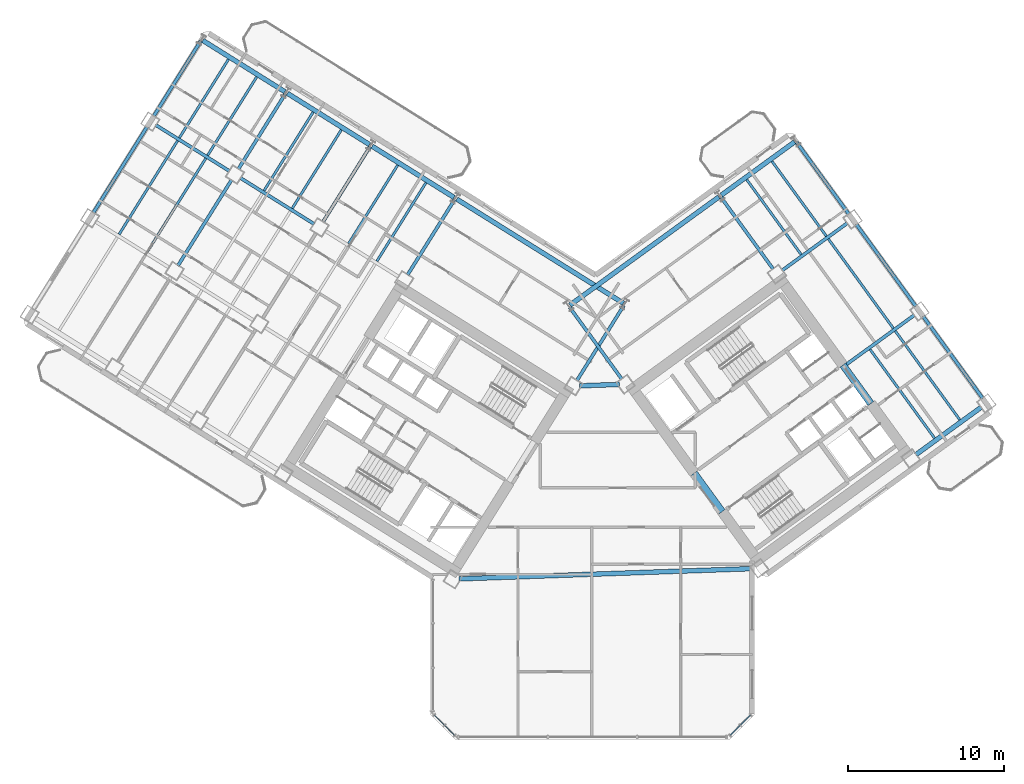
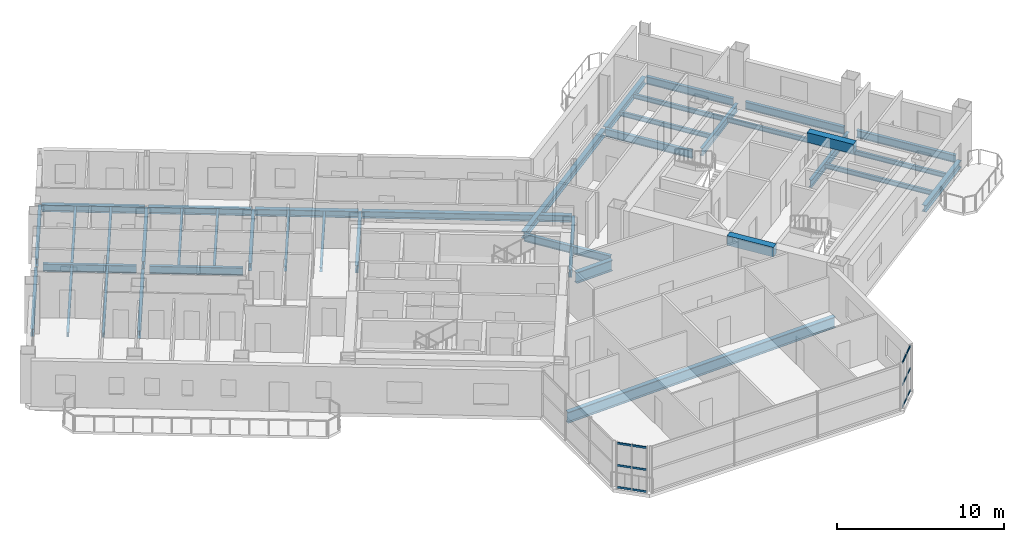
# One storey, part 7 of 21: 40 beams, 12 members, 2 elements without a shape of their own.
"""IFC4 building model written with IfcOpenShell, lengths in metres."""

from ifc_helpers import new_model, si_unit, direction, frame, origin, origin_2d, place, context, subcontext, project, spatial, rectangle, hollow_rectangle, i_section, extrude, source, transform, mapped, material, material_profile, profile_set, type_object, element, aggregate, save


model = new_model("IFC4")

# Units and contexts
model_context = context("Model", 3, precision=1e-05, world=origin(), true_north=direction((0.0, 1.0)))
body_context = subcontext(model_context, "Body", "Model", "MODEL_VIEW")
ifc_project = project(units=[si_unit("LENGTHUNIT", "METRE"), si_unit("AREAUNIT", "SQUARE_METRE"), si_unit("VOLUMEUNIT", "CUBIC_METRE"), si_unit("PLANEANGLEUNIT", "RADIAN"), si_unit("MASSUNIT", "GRAM", prefix="KILO")], contexts=[model_context])

# Site, building, storey
site_placement = place(None, origin())
site = spatial("IfcSite", under=ifc_project, at=site_placement, CompositionType="ELEMENT")
building_placement = place(site_placement, origin())
building = spatial("IfcBuilding", under=site, at=building_placement, Name="Tlacorven Tower", CompositionType="ELEMENT")
storey_placement = place(building_placement, frame((0.0, 0.0, 93.60009765625)))
storey = spatial("IfcBuildingStorey", under=building, at=storey_placement, Name="L23", CompositionType="ELEMENT", Elevation=93.60009765625)

# Beams
ifc_material_1 = material(Name="Concrete C60/75", Category="concrete")
ifc_material_profile_1 = material_profile(ifc_material_1, rectangle(XDim=0.449951171875, YDim=0.699951171875, at=origin_2d()), Name="RC 450X700")
ifc_profile_set_1 = profile_set([ifc_material_profile_1], Name="Concrete C60/75")
beam_type_1 = type_object("IfcBeamType", Name="BM-LNT-700", PredefinedType="LINTEL", material=ifc_profile_set_1)
shared_shape_1 = source(origin(), body_context, "Body", "SweptSolid", [
    extrude(rectangle(XDim=0.449951171875, YDim=0.699951171875, at=origin_2d()), origin(), (0.0, 0.0, 1.0), 3.050048828125),
])
for number, where, z_axis, x_axis, name in (
    (1, (50.318359375, 16.416015625, 3.0), (-0.587776590479, 0.80902328748, 0.0), (-0.80902328748, -0.587776590479, 0.0), "L23 E core coupling lintel beam E1"),
    (2, (59.856689453125, 23.345947265625, 3.0), (-0.587776590479, 0.80902328748, 0.0), (-0.80902328748, -0.587776590479, 0.0), "L23 E core coupling lintel beam E2"),
):
    element("IfcBeam", number, at=place(storey_placement, frame(where, z_axis=z_axis, x_axis=x_axis)), inside=storey, type_object=beam_type_1, Name=name, PredefinedType="LINTEL", context=body_context, shape_type="MappedRepresentation", body=[
        mapped(shared_shape_1, transform((0.0, 0.0, 0.0), scale=1.0)),
    ])
ifc_material_2 = material(Name="Steel S355J2", Category="steel")
ifc_material_profile_2 = material_profile(ifc_material_2, i_section(OverallWidth=0.300048828125, OverallDepth=0.489990234375, WebThickness=0.011962890625, FlangeThickness=0.02294921875, at=origin_2d()), Name="HEA 500")
ifc_profile_set_2 = profile_set([ifc_material_profile_2], Name="Steel S355J2")
beam_type_2 = type_object("IfcBeamType", Name="BM-SPN-500", PredefinedType="SPANDREL", material=ifc_profile_set_2)
shared_shape_2 = source(origin(), body_context, "Body", "SweptSolid", [
    extrude(i_section(OverallWidth=0.300048828125, OverallDepth=0.489990234375, WebThickness=0.011962890625, FlangeThickness=0.02294921875, at=origin_2d()), origin(), (0.0, 0.0, 1.0), 12.599853515625),
])
beam_1_placement = place(storey_placement, frame((43.983642578125, 29.779296875, -0.4951171875), z_axis=(-0.848045108756, 0.529924045043, 0.0), x_axis=(-0.529924045043, -0.848045108756, 0.0)))
element("IfcBeam", 3, at=beam_1_placement, inside=storey, type_object=beam_type_2, Name="L23 beam BM-L23-WL1-1", PredefinedType="SPANDREL", context=body_context, shape_type="MappedRepresentation", body=[
    mapped(shared_shape_2, transform((0.0, 0.0, 0.0), scale=1.0)),
])
shared_shape_3 = source(origin(), body_context, "Body", "SweptSolid", [
    extrude(i_section(OverallWidth=0.300048828125, OverallDepth=0.489990234375, WebThickness=0.011962890625, FlangeThickness=0.02294921875, at=origin_2d()), origin(), (0.0, 0.0, 1.0), 6.199951171875),
])
beam_2_placement = place(storey_placement, frame((33.128662109375, 36.562255859375, -0.4951171875), z_axis=(-0.848051394107, 0.529913986372, 0.0), x_axis=(-0.529913986372, -0.848051394107, 0.0)))
element("IfcBeam", 4, at=beam_2_placement, inside=storey, type_object=beam_type_2, Name="L23 beam BM-L23-WL1-3", PredefinedType="SPANDREL", context=body_context, shape_type="MappedRepresentation", body=[
    mapped(shared_shape_3, transform((0.0, 0.0, 0.0), scale=1.0)),
])
shared_shape_4 = source(origin(), body_context, "Body", "SweptSolid", [
    extrude(i_section(OverallWidth=0.300048828125, OverallDepth=0.489990234375, WebThickness=0.011962890625, FlangeThickness=0.02294921875, at=origin_2d()), origin(), (0.0, 0.0, 1.0), 11.800048828125),
])
beam_3_placement = place(storey_placement, frame((40.560302734375, 29.65966796875, -0.4951171875), z_axis=(0.80900977213, 0.587795192732, 0.0), x_axis=(-0.587795192732, 0.80900977213, 0.0)))
element("IfcBeam", 5, at=beam_3_placement, inside=storey, type_object=beam_type_2, Name="L23 beam BM-L23-EL4-1", PredefinedType="SPANDREL", context=body_context, shape_type="MappedRepresentation", body=[
    mapped(shared_shape_4, transform((0.0, 0.0, 0.0), scale=1.0)),
])
shared_shape_5 = source(origin(), body_context, "Body", "SweptSolid", [
    extrude(i_section(OverallWidth=0.300048828125, OverallDepth=0.489990234375, WebThickness=0.011962890625, FlangeThickness=0.02294921875, at=origin_2d()), origin(), (0.0, 0.0, 1.0), 5.800048828125),
])
beam_4_placement = place(storey_placement, frame((50.2685546875, 36.713134765625, -0.4951171875), z_axis=(0.809019944521, 0.587781191743, 0.0), x_axis=(-0.587781191743, 0.809019944521, 0.0)))
element("IfcBeam", 6, at=beam_4_placement, inside=storey, type_object=beam_type_2, Name="L23 beam BM-L23-EL4-3", PredefinedType="SPANDREL", context=body_context, shape_type="MappedRepresentation", body=[
    mapped(shared_shape_5, transform((0.0, 0.0, 0.0), scale=1.0)),
])
shared_shape_6 = source(origin(), body_context, "Body", "SweptSolid", [
    extrude(i_section(OverallWidth=0.300048828125, OverallDepth=0.489990234375, WebThickness=0.011962890625, FlangeThickness=0.02294921875, at=origin_2d()), origin(), (0.0, 0.0, 1.0), 6.2001953125),
])
for number, where, z_axis, x_axis, name in (
    (7, (27.701171875, 39.95361328125, -0.4951171875), (-0.84804475579, 0.5299246099, 0.0), (-0.5299246099, -0.84804475579, 0.0), "L23 beam BM-L23-WL1-4"),
    (8, (22.273681640625, 43.34521484375, -0.4951171875), (-0.848062451332, 0.529896290457, 0.0), (-0.529896290457, -0.848062451332, 0.0), "L23 beam BM-L23-WL1-5"),
):
    element("IfcBeam", number, at=place(storey_placement, frame(where, z_axis=z_axis, x_axis=x_axis)), inside=storey, type_object=beam_type_2, Name=name, PredefinedType="SPANDREL", context=body_context, shape_type="MappedRepresentation", body=[
        mapped(shared_shape_6, transform((0.0, 0.0, 0.0), scale=1.0)),
    ])
ifc_material_profile_3 = material_profile(ifc_material_2, i_section(OverallWidth=0.2099609375, OverallDepth=0.550048828125, WebThickness=0.010986328125, FlangeThickness=0.01708984375, at=origin_2d()), Name="IPE 550")
ifc_profile_set_3 = profile_set([ifc_material_profile_3], Name="Steel S355J2")
beam_type_3 = type_object("IfcBeamType", Name="BM-TWR-550", PredefinedType="BEAM", material=ifc_profile_set_3)
shared_shape_7 = source(origin(), body_context, "Body", "SweptSolid", [
    extrude(i_section(OverallWidth=0.2099609375, OverallDepth=0.550048828125, WebThickness=0.010986328125, FlangeThickness=0.01708984375, at=origin_2d()), origin(), (0.0, 0.0, 1.0), 5.599853515625),
])
for number, where, z_axis, x_axis, name in (
    (9, (24.1611328125, 34.854736328125, -0.525146484375), (-0.848047285686, 0.529920561254, 0.0), (-0.529920561254, -0.848047285686, 0.0), "L23 beam BM-L23-WL2-4"),
    (10, (18.733642578125, 38.246337890625, -0.525146484375), (-0.848047285686, 0.529920561254, 0.0), (-0.529920561254, -0.848047285686, 0.0), "L23 beam BM-L23-WL2-5"),
):
    element("IfcBeam", number, at=place(storey_placement, frame(where, z_axis=z_axis, x_axis=x_axis)), inside=storey, type_object=beam_type_3, Name=name, PredefinedType="BEAM", context=body_context, shape_type="MappedRepresentation", body=[
        mapped(shared_shape_7, transform((0.0, 0.0, 0.0), scale=1.0)),
    ])
shared_shape_8 = source(origin(), body_context, "Body", "SweptSolid", [
    extrude(i_section(OverallWidth=0.2099609375, OverallDepth=0.550048828125, WebThickness=0.010986328125, FlangeThickness=0.01708984375, at=origin_2d()), origin(), (0.0, 0.0, 1.0), 5.7001953125),
])
for number, where, z_axis, x_axis, name in (
    (11, (44.015380859375, 29.6416015625, -0.525146484375), (-0.529906537151, -0.848056048787, 0.0), (0.848056048787, -0.529906537151, 0.0), "L23 beam BM-L23-WT1-1"),
    (12, (33.160400390625, 36.424560546875, -0.525146484375), (-0.529906537151, -0.848056048787, 0.0), (0.848056048787, -0.529906537151, 0.0), "L23 beam BM-L23-WT3-1"),
    (13, (22.305419921875, 43.20751953125, -0.525146484375), (-0.529906537151, -0.848056048787, 0.0), (0.848056048787, -0.529906537151, 0.0), "L23 beam BM-L23-WT5-1"),
):
    element("IfcBeam", number, at=place(storey_placement, frame(where, z_axis=z_axis, x_axis=x_axis)), inside=storey, type_object=beam_type_3, Name=name, PredefinedType="BEAM", context=body_context, shape_type="MappedRepresentation", body=[
        mapped(shared_shape_8, transform((0.0, 0.0, 0.0), scale=1.0)),
    ])
shared_shape_9 = source(origin(), body_context, "Body", "SweptSolid", [
    extrude(i_section(OverallWidth=0.2099609375, OverallDepth=0.550048828125, WebThickness=0.010986328125, FlangeThickness=0.01708984375, at=origin_2d()), origin(), (0.0, 0.0, 1.0), 5.699951171875),
])
for number, where, z_axis, x_axis, name in (
    (14, (27.73291015625, 39.81591796875, -0.525146484375), (-0.529925785607, -0.848044021115, 0.0), (0.848044021115, -0.529925785607, 0.0), "L23 beam BM-L23-WT4-1"),
    (15, (16.8779296875, 46.598876953125, -0.525146484375), (-0.529925785607, -0.848044021115, 0.0), (0.848044021115, -0.529925785607, 0.0), "L23 beam BM-L23-WT6-1"),
    (16, (43.888671875, 24.90869140625, -0.525146484375), (-0.587787066966, 0.809015675935, 0.0), (-0.809015675935, -0.587787066966, 0.0), "L23 beam BM-L23-ET1-2"),
    (17, (53.596923828125, 31.962158203125, -0.525146484375), (-0.587787066966, 0.809015675935, 0.0), (-0.809015675935, -0.587787066966, 0.0), "L23 beam BM-L23-ET3-2"),
    (18, (58.450927734375, 35.48876953125, -0.525146484375), (-0.587787066966, 0.809015675935, 0.0), (-0.809015675935, -0.587787066966, 0.0), "L23 beam BM-L23-ET4-3"),
):
    element("IfcBeam", number, at=place(storey_placement, frame(where, z_axis=z_axis, x_axis=x_axis)), inside=storey, type_object=beam_type_3, Name=name, PredefinedType="BEAM", context=body_context, shape_type="MappedRepresentation", body=[
        mapped(shared_shape_9, transform((0.0, 0.0, 0.0), scale=1.0)),
    ])
shared_shape_10 = source(origin(), body_context, "Body", "SweptSolid", [
    extrude(i_section(OverallWidth=0.2099609375, OverallDepth=0.550048828125, WebThickness=0.010986328125, FlangeThickness=0.01708984375, at=origin_2d()), origin(), (0.0, 0.0, 1.0), 6.5),
])
for number, where, z_axis, x_axis, name in (
    (19, (13.433349609375, 41.086669921875, -0.525146484375), (-0.529894274829, -0.848063710757, 0.0), (0.848063710757, -0.529894274829, 0.0), "L23 beam BM-L23-WT6-2"),
    (20, (67.03271484375, 23.67724609375, -0.525146484375), (-0.587809847215, 0.808999124547, 0.0), (-0.808999124547, -0.587809847215, 0.0), "L23 beam BM-L23-ET4-1"),
    (21, (62.74169921875, 29.5830078125, -0.525146484375), (-0.587785264321, 0.809016985636, 0.0), (-0.809016985636, -0.587785264321, 0.0), "L23 beam BM-L23-ET4-2"),
):
    element("IfcBeam", number, at=place(storey_placement, frame(where, z_axis=z_axis, x_axis=x_axis)), inside=storey, type_object=beam_type_3, Name=name, PredefinedType="BEAM", context=body_context, shape_type="MappedRepresentation", body=[
        mapped(shared_shape_10, transform((0.0, 0.0, 0.0), scale=1.0)),
    ])
shared_shape_11 = source(origin(), body_context, "Body", "SweptSolid", [
    extrude(i_section(OverallWidth=0.2099609375, OverallDepth=0.550048828125, WebThickness=0.010986328125, FlangeThickness=0.01708984375, at=origin_2d()), origin(), (0.0, 0.0, 1.0), 6.499755859375),
])
beam_5_placement = place(storey_placement, frame((18.86083984375, 37.695068359375, -0.525146484375), z_axis=(-0.529911154058, -0.848053163902, 0.0), x_axis=(0.848053163902, -0.529911154058, 0.0)))
element("IfcBeam", 22, at=beam_5_placement, inside=storey, type_object=beam_type_3, Name="L23 beam BM-L23-WT5-2", PredefinedType="BEAM", context=body_context, shape_type="MappedRepresentation", body=[
    mapped(shared_shape_11, transform((0.0, 0.0, 0.0), scale=1.0)),
])
shared_shape_12 = source(origin(), body_context, "Body", "SweptSolid", [
    extrude(i_section(OverallWidth=0.300048828125, OverallDepth=0.489990234375, WebThickness=0.011962890625, FlangeThickness=0.02294921875, at=origin_2d()), origin(), (0.0, 0.0, 1.0), 5.199951171875),
])
beam_6_placement = place(storey_placement, frame((62.7373046875, 20.06201171875, -0.4951171875), z_axis=(0.809018206713, 0.587783583648, 0.0), x_axis=(-0.587783583648, 0.809018206713, 0.0)))
element("IfcBeam", 23, at=beam_6_placement, inside=storey, type_object=beam_type_2, Name="L23 beam BM-L23-EL1-3", PredefinedType="SPANDREL", context=body_context, shape_type="MappedRepresentation", body=[
    mapped(shared_shape_12, transform((0.0, 0.0, 0.0), scale=1.0)),
])
shared_shape_13 = source(origin(), body_context, "Body", "SweptSolid", [
    extrude(i_section(OverallWidth=0.2099609375, OverallDepth=0.550048828125, WebThickness=0.010986328125, FlangeThickness=0.01708984375, at=origin_2d()), origin(), (0.0, 0.0, 1.0), 5.56005859375),
])
beam_7_placement = place(storey_placement, frame((58.155029296875, 25.756103515625, -0.525146484375), z_axis=(0.809028396397, 0.587769558435, 0.0), x_axis=(-0.587769558435, 0.809028396397, 0.0)))
element("IfcBeam", 24, at=beam_7_placement, inside=storey, type_object=beam_type_3, Name="L23 beam BM-L23-EL2-3", PredefinedType="BEAM", context=body_context, shape_type="MappedRepresentation", body=[
    mapped(shared_shape_13, transform((0.0, 0.0, 0.0), scale=1.0)),
])
shared_shape_14 = source(origin(), body_context, "Body", "SweptSolid", [
    extrude(i_section(OverallWidth=0.2099609375, OverallDepth=0.550048828125, WebThickness=0.010986328125, FlangeThickness=0.01708984375, at=origin_2d()), origin(), (0.0, 0.0, 1.0), 5.2001953125),
])
beam_8_placement = place(storey_placement, frame((54.155517578125, 31.87353515625, -0.525146484375), z_axis=(0.80901210161, 0.587791986546, 0.0), x_axis=(-0.587791986546, 0.80901210161, 0.0)))
element("IfcBeam", 25, at=beam_8_placement, inside=storey, type_object=beam_type_3, Name="L23 beam BM-L23-EL3-3", PredefinedType="BEAM", context=body_context, shape_type="MappedRepresentation", body=[
    mapped(shared_shape_14, transform((0.0, 0.0, 0.0), scale=1.0)),
])
ifc_material_profile_4 = material_profile(ifc_material_2, i_section(OverallWidth=0.300048828125, OverallDepth=0.800048828125, WebThickness=0.017578125, FlangeThickness=0.032958984375, at=origin_2d()), Name="HEB 800")
ifc_profile_set_4 = profile_set([ifc_material_profile_4], Name="Steel S355J2")
beam_type_4 = type_object("IfcBeamType", Name="BM-POD-800", PredefinedType="BEAM", material=ifc_profile_set_4)
shared_shape_15 = source(origin(), body_context, "Body", "SweptSolid", [
    extrude(i_section(OverallWidth=0.300048828125, OverallDepth=0.800048828125, WebThickness=0.017578125, FlangeThickness=0.032958984375, at=origin_2d()), origin(), (0.0, 0.0, 1.0), 2.542724609375),
])
beam_9_placement = place(storey_placement, frame((41.1826171875, 24.482421875, -0.650146484375), z_axis=(0.999392467766, 0.034852480142, 0.0), x_axis=(-0.034852480142, 0.999392467766, 0.0)))
element("IfcBeam", 26, at=beam_9_placement, inside=storey, type_object=beam_type_4, Name="L23 Knuckle Link Girder 1", PredefinedType="BEAM", context=body_context, shape_type="MappedRepresentation", body=[
    mapped(shared_shape_15, transform((0.0, 0.0, 0.0), scale=1.0)),
])
shared_shape_16 = source(origin(), body_context, "Body", "SweptSolid", [
    extrude(i_section(OverallWidth=0.300048828125, OverallDepth=0.800048828125, WebThickness=0.017578125, FlangeThickness=0.032958984375, at=origin_2d()), origin(), (0.0, 0.0, 1.0), 18.871337890625),
])
beam_10_placement = place(storey_placement, frame((33.44580078125, 12.100830078125, -0.650146484375), z_axis=(0.999390659804, 0.034904284792, 0.0), x_axis=(-0.034904284792, 0.999390659804, 0.0)))
element("IfcBeam", 27, at=beam_10_placement, inside=storey, type_object=beam_type_4, Name="L23 Knuckle Link Girder 2", PredefinedType="BEAM", context=body_context, shape_type="MappedRepresentation", body=[
    mapped(shared_shape_16, transform((0.0, 0.0, 0.0), scale=1.0)),
])
ifc_material_profile_5 = material_profile(ifc_material_2, i_section(OverallWidth=0.159912109375, OverallDepth=0.330078125, WebThickness=0.007568359375, FlangeThickness=0.011474609375, at=origin_2d()), Name="IPE 330")
ifc_profile_set_5 = profile_set([ifc_material_profile_5], Name="Steel S355J2")
beam_type_5 = type_object("IfcBeamType", Name="BM-JST-330", PredefinedType="JOIST", material=ifc_profile_set_5)
shared_shape_17 = source(origin(), body_context, "Body", "SweptSolid", [
    extrude(i_section(OverallWidth=0.159912109375, OverallDepth=0.330078125, WebThickness=0.007568359375, FlangeThickness=0.011474609375, at=origin_2d()), origin(), (0.0, 0.0, 1.0), 5.93505859375),
])
for number, where, z_axis, x_axis, name in (
    (28, (31.322265625, 37.50830078125, -0.4150390625), (-0.529939778535, -0.848035277053, 0.0), (0.848035277053, -0.529939778535, 0.0), "L23 beam BM-L23-WJ3-1-1"),
    (29, (29.512939453125, 38.638916015625, -0.4150390625), (-0.529910194899, -0.848053763238, 0.0), (0.848053763238, -0.529910194899, 0.0), "L23 beam BM-L23-WJ3-1-2"),
    (30, (24.08544921875, 42.0302734375, -0.4150390625), (-0.529910194899, -0.848053763238, 0.0), (0.848053763238, -0.529910194899, 0.0), "L23 beam BM-L23-WJ4-1-2"),
    (31, (20.467041015625, 44.291259765625, -0.4150390625), (-0.529910194899, -0.848053763238, 0.0), (0.848053763238, -0.529910194899, 0.0), "L23 beam BM-L23-WJ5-1-1"),
    (32, (18.657958984375, 45.421875, -0.4150390625), (-0.529910194899, -0.848053763238, 0.0), (0.848053763238, -0.529910194899, 0.0), "L23 beam BM-L23-WJ5-1-2"),
    (33, (55.38525390625, 32.903076171875, -0.4150390625), (-0.58778762431, 0.809015270998, 0.0), (-0.809015270998, -0.58778762431, 0.0), "L23 beam BM-L23-EJ3-3-1"),
    (34, (57.00341796875, 34.07861328125, -0.4150390625), (-0.58778762431, 0.809015270998, 0.0), (-0.809015270998, -0.58778762431, 0.0), "L23 beam BM-L23-EJ3-3-2"),
):
    element("IfcBeam", number, at=place(storey_placement, frame(where, z_axis=z_axis, x_axis=x_axis)), inside=storey, type_object=beam_type_5, Name=name, PredefinedType="JOIST", context=body_context, shape_type="MappedRepresentation", body=[
        mapped(shared_shape_17, transform((0.0, 0.0, 0.0), scale=1.0)),
    ])
shared_shape_18 = source(origin(), body_context, "Body", "SweptSolid", [
    extrude(i_section(OverallWidth=0.159912109375, OverallDepth=0.330078125, WebThickness=0.007568359375, FlangeThickness=0.011474609375, at=origin_2d()), origin(), (0.0, 0.0, 1.0), 7.080078125),
])
for number, where, z_axis, x_axis, name in (
    (35, (17.20556640625, 39.071533203125, -0.4150390625), (-0.529933847046, -0.848038983629, 0.0), (0.848038983629, -0.529933847046, 0.0), "L23 beam BM-L23-WJ5-2-1"),
    (36, (15.396240234375, 40.2021484375, -0.4150390625), (-0.529893550998, -0.848064163027, 0.0), (0.848064163027, -0.529893550998, 0.0), "L23 beam BM-L23-WJ5-2-2"),
    (37, (61.294189453125, 28.1728515625, -0.4150390625), (-0.587798472288, 0.809007389321, 0.0), (-0.809007389321, -0.587798472288, 0.0), "L23 beam BM-L23-EJ3-2-2"),
):
    element("IfcBeam", number, at=place(storey_placement, frame(where, z_axis=z_axis, x_axis=x_axis)), inside=storey, type_object=beam_type_5, Name=name, PredefinedType="JOIST", context=body_context, shape_type="MappedRepresentation", body=[
        mapped(shared_shape_18, transform((0.0, 0.0, 0.0), scale=1.0)),
    ])
shared_shape_19 = source(origin(), body_context, "Body", "SweptSolid", [
    extrude(i_section(OverallWidth=0.159912109375, OverallDepth=0.330078125, WebThickness=0.007568359375, FlangeThickness=0.011474609375, at=origin_2d()), origin(), (0.0, 0.0, 1.0), 7.03515625),
])
beam_11_placement = place(storey_placement, frame((63.9404296875, 21.127685546875, -0.4150390625), z_axis=(-0.58776512903, 0.809031614399, 0.0), x_axis=(-0.809031614399, -0.58776512903, 0.0)))
element("IfcBeam", 38, at=beam_11_placement, inside=storey, type_object=beam_type_5, Name="L23 beam BM-L23-EJ3-1-1", PredefinedType="JOIST", context=body_context, shape_type="MappedRepresentation", body=[
    mapped(shared_shape_19, transform((0.0, 0.0, 0.0), scale=1.0)),
])
shared_shape_20 = source(origin(), body_context, "Body", "SweptSolid", [
    extrude(i_section(OverallWidth=0.159912109375, OverallDepth=0.330078125, WebThickness=0.007568359375, FlangeThickness=0.011474609375, at=origin_2d()), origin(), (0.0, 0.0, 1.0), 5.934814453125),
])
beam_12_placement = place(storey_placement, frame((25.894775390625, 40.899658203125, -0.4150390625), z_axis=(-0.529958265352, -0.848023724306, 0.0), x_axis=(0.848023724306, -0.529958265352, 0.0)))
element("IfcBeam", 39, at=beam_12_placement, inside=storey, type_object=beam_type_5, Name="L23 beam BM-L23-WJ4-1-1", PredefinedType="JOIST", context=body_context, shape_type="MappedRepresentation", body=[
    mapped(shared_shape_20, transform((0.0, 0.0, 0.0), scale=1.0)),
])
shared_shape_21 = source(origin(), body_context, "Body", "SweptSolid", [
    extrude(i_section(OverallWidth=0.159912109375, OverallDepth=0.330078125, WebThickness=0.007568359375, FlangeThickness=0.011474609375, at=origin_2d()), origin(), (0.0, 0.0, 1.0), 7.034912109375),
])
beam_13_placement = place(storey_placement, frame((65.55859375, 22.303466796875, -0.4150390625), z_axis=(-0.587781631373, 0.809019625115, 0.0), x_axis=(-0.809019625115, -0.587781631373, 0.0)))
element("IfcBeam", 40, at=beam_13_placement, inside=storey, type_object=beam_type_5, Name="L23 beam BM-L23-EJ3-1-2", PredefinedType="JOIST", context=body_context, shape_type="MappedRepresentation", body=[
    mapped(shared_shape_21, transform((0.0, 0.0, 0.0), scale=1.0)),
])

# Curtain wall, members
ifc_material_3 = material(Name="Dark solar low-E double glazing in aluminium frame", Category="aluminium")
curtain_wall_type = type_object("IfcCurtainWallType", Name="CW-TWR-LOW", PredefinedType="USERDEFINED", material=ifc_material_3)
curtain_wall_1_placement = place(storey_placement, origin())
curtain_wall_1 = element("IfcCurtainWall", 41, at=curtain_wall_1_placement, inside=storey, type_object=curtain_wall_type, Name="L23 CW-TWR-LOW Curtain Wall 119", ObjectType="UNITISED CURTAIN WALL", PredefinedType="USERDEFINED")
ifc_material_4 = material(Name="Aluminium 6063-T6 anodised", Category="aluminium")
ifc_material_profile_6 = material_profile(ifc_material_4, hollow_rectangle(XDim=0.06005859375, YDim=0.139892578125, WallThickness=0.00390625, at=origin_2d()), Name="ALU TRANSOM 60X140")
ifc_profile_set_6 = profile_set([ifc_material_profile_6], Name="Aluminium 6063-T6 anodised")
member_type = type_object("IfcMemberType", Name="CWT-02", PredefinedType="USERDEFINED", material=ifc_profile_set_6)
shared_shape_22 = source(origin(), body_context, "Body", "SweptSolid", [
    extrude(hollow_rectangle(XDim=0.06005859375, YDim=0.139892578125, WallThickness=0.00390625, at=origin_2d()), origin(), (0.0, 0.0, 1.0), 0.8837890625),
])
member_1_placement = place(storey_placement, frame((52.128173828125, 3.3544921875, 0.06982421875), z_axis=(-0.707106781187, -0.707106781187, 0.0), x_axis=(0.707106781187, -0.707106781187, 0.0)))
member_1 = element("IfcMember", 42, at=member_1_placement, type_object=member_type, Name="CW-L23-119 Transom 1", ObjectType="TRANSOM", PredefinedType="USERDEFINED", context=body_context, shape_type="MappedRepresentation", body=[
    mapped(shared_shape_22, transform((0.0, 0.0, 0.0), scale=1.0)),
])
member_2_placement = place(storey_placement, frame((52.128173828125, 3.3544921875, 1.6748046875), z_axis=(-0.707106781187, -0.707106781187, 0.0), x_axis=(0.707106781187, -0.707106781187, 0.0)))
member_2 = element("IfcMember", 43, at=member_2_placement, type_object=member_type, Name="CW-L23-119 Transom 2", ObjectType="TRANSOM", PredefinedType="USERDEFINED", context=body_context, shape_type="MappedRepresentation", body=[
    mapped(shared_shape_22, transform((0.0, 0.0, 0.0), scale=1.0)),
])
member_3_placement = place(storey_placement, frame((52.128173828125, 3.3544921875, 3.27978515625), z_axis=(-0.707106781187, -0.707106781187, 0.0), x_axis=(0.707106781187, -0.707106781187, 0.0)))
member_3 = element("IfcMember", 44, at=member_3_placement, type_object=member_type, Name="CW-L23-119 Transom 3", ObjectType="TRANSOM", PredefinedType="USERDEFINED", context=body_context, shape_type="MappedRepresentation", body=[
    mapped(shared_shape_22, transform((0.0, 0.0, 0.0), scale=1.0)),
])

curtain_wall_2_placement = place(storey_placement, origin())
curtain_wall_2 = element("IfcCurtainWall", 45, at=curtain_wall_2_placement, inside=storey, type_object=curtain_wall_type, Name="L23 CW-TWR-LOW Curtain Wall 121", ObjectType="UNITISED CURTAIN WALL", PredefinedType="USERDEFINED")
member_4_placement = place(storey_placement, frame((32.496826171875, 2.7294921875, 0.06982421875), z_axis=(-0.707106781187, 0.707106781187, 0.0), x_axis=(-0.707106781187, -0.707106781187, 0.0)))
member_4 = element("IfcMember", 46, at=member_4_placement, type_object=member_type, Name="CW-L23-121 Transom 4", ObjectType="TRANSOM", PredefinedType="USERDEFINED", context=body_context, shape_type="MappedRepresentation", body=[
    mapped(shared_shape_22, transform((0.0, 0.0, 0.0), scale=1.0)),
])
member_5_placement = place(storey_placement, frame((32.496826171875, 2.7294921875, 1.6748046875), z_axis=(-0.707106781187, 0.707106781187, 0.0), x_axis=(-0.707106781187, -0.707106781187, 0.0)))
member_5 = element("IfcMember", 47, at=member_5_placement, type_object=member_type, Name="CW-L23-121 Transom 5", ObjectType="TRANSOM", PredefinedType="USERDEFINED", context=body_context, shape_type="MappedRepresentation", body=[
    mapped(shared_shape_22, transform((0.0, 0.0, 0.0), scale=1.0)),
])
member_6_placement = place(storey_placement, frame((32.496826171875, 2.7294921875, 3.27978515625), z_axis=(-0.707106781187, 0.707106781187, 0.0), x_axis=(-0.707106781187, -0.707106781187, 0.0)))
member_6 = element("IfcMember", 48, at=member_6_placement, type_object=member_type, Name="CW-L23-121 Transom 6", ObjectType="TRANSOM", PredefinedType="USERDEFINED", context=body_context, shape_type="MappedRepresentation", body=[
    mapped(shared_shape_22, transform((0.0, 0.0, 0.0), scale=1.0)),
])

# Member
shared_shape_23 = source(origin(), body_context, "Body", "SweptSolid", [
    extrude(hollow_rectangle(XDim=0.06005859375, YDim=0.139892578125, WallThickness=0.00390625, at=origin_2d()), origin(), (0.0, 0.0, 1.0), 0.884033203125),
])
member_7_placement = place(storey_placement, frame((51.470703125, 2.69677734375, 0.06982421875), z_axis=(-0.707244847527, -0.706968687883, 0.0), x_axis=(0.706968687883, -0.707244847527, 0.0)))
member_7 = element("IfcMember", 49, at=member_7_placement, type_object=member_type, Name="CW-L23-119 Transom 4", ObjectType="TRANSOM", PredefinedType="USERDEFINED", context=body_context, shape_type="MappedRepresentation", body=[
    mapped(shared_shape_23, transform((0.0, 0.0, 0.0), scale=1.0)),
])

member_8_placement = place(storey_placement, frame((51.470703125, 2.69677734375, 1.6748046875), z_axis=(-0.707244847527, -0.706968687883, 0.0), x_axis=(0.706968687883, -0.707244847527, 0.0)))
member_8 = element("IfcMember", 50, at=member_8_placement, type_object=member_type, Name="CW-L23-119 Transom 5", ObjectType="TRANSOM", PredefinedType="USERDEFINED", context=body_context, shape_type="MappedRepresentation", body=[
    mapped(shared_shape_23, transform((0.0, 0.0, 0.0), scale=1.0)),
])

member_9_placement = place(storey_placement, frame((51.470703125, 2.69677734375, 3.27978515625), z_axis=(-0.707244847527, -0.706968687883, 0.0), x_axis=(0.706968687883, -0.707244847527, 0.0)))
member_9 = element("IfcMember", 51, at=member_9_placement, type_object=member_type, Name="CW-L23-119 Transom 6", ObjectType="TRANSOM", PredefinedType="USERDEFINED", context=body_context, shape_type="MappedRepresentation", body=[
    mapped(shared_shape_23, transform((0.0, 0.0, 0.0), scale=1.0)),
])

aggregate(curtain_wall_1, [member_1, member_2, member_3, member_7, member_8, member_9])

member_10_placement = place(storey_placement, frame((33.154541015625, 2.07177734375, 0.06982421875), z_axis=(-0.707244847527, 0.706968687883, 0.0), x_axis=(-0.706968687883, -0.707244847527, 0.0)))
member_10 = element("IfcMember", 52, at=member_10_placement, type_object=member_type, Name="CW-L23-121 Transom 1", ObjectType="TRANSOM", PredefinedType="USERDEFINED", context=body_context, shape_type="MappedRepresentation", body=[
    mapped(shared_shape_23, transform((0.0, 0.0, 0.0), scale=1.0)),
])

member_11_placement = place(storey_placement, frame((33.154541015625, 2.07177734375, 1.6748046875), z_axis=(-0.707244847527, 0.706968687883, 0.0), x_axis=(-0.706968687883, -0.707244847527, 0.0)))
member_11 = element("IfcMember", 53, at=member_11_placement, type_object=member_type, Name="CW-L23-121 Transom 2", ObjectType="TRANSOM", PredefinedType="USERDEFINED", context=body_context, shape_type="MappedRepresentation", body=[
    mapped(shared_shape_23, transform((0.0, 0.0, 0.0), scale=1.0)),
])

member_12_placement = place(storey_placement, frame((33.154541015625, 2.07177734375, 3.27978515625), z_axis=(-0.707244847527, 0.706968687883, 0.0), x_axis=(-0.706968687883, -0.707244847527, 0.0)))
member_12 = element("IfcMember", 54, at=member_12_placement, type_object=member_type, Name="CW-L23-121 Transom 3", ObjectType="TRANSOM", PredefinedType="USERDEFINED", context=body_context, shape_type="MappedRepresentation", body=[
    mapped(shared_shape_23, transform((0.0, 0.0, 0.0), scale=1.0)),
])

aggregate(curtain_wall_2, [member_10, member_11, member_12, member_4, member_5, member_6])

save(model, "model.ifc")
